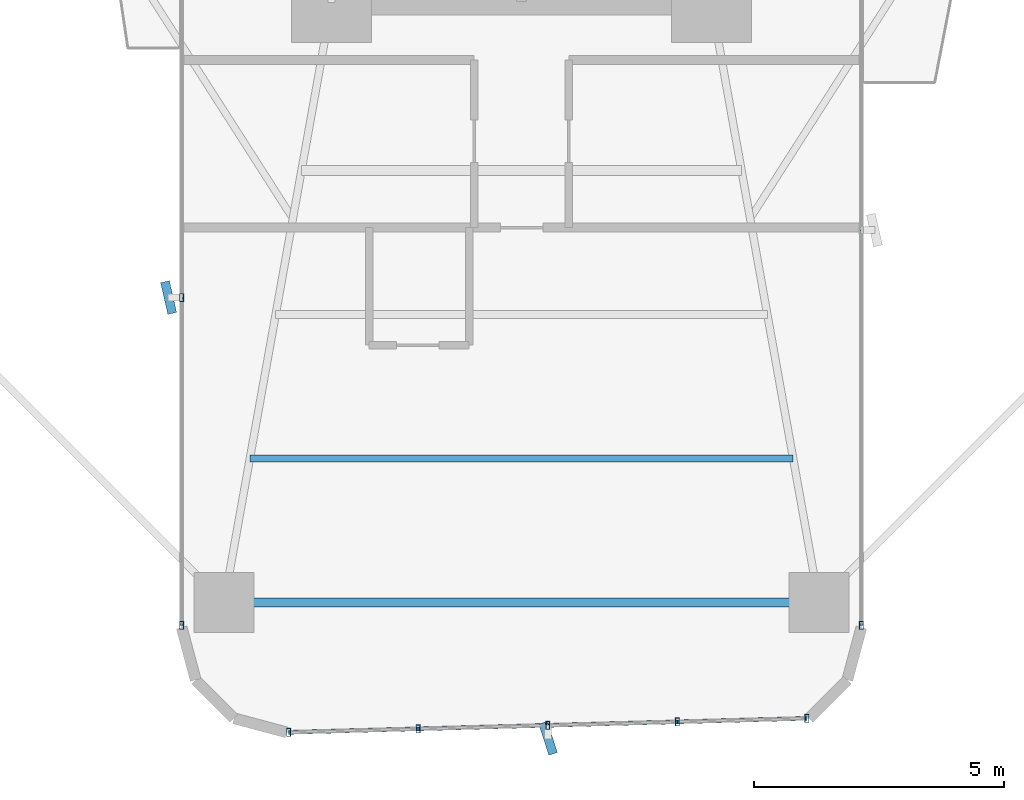
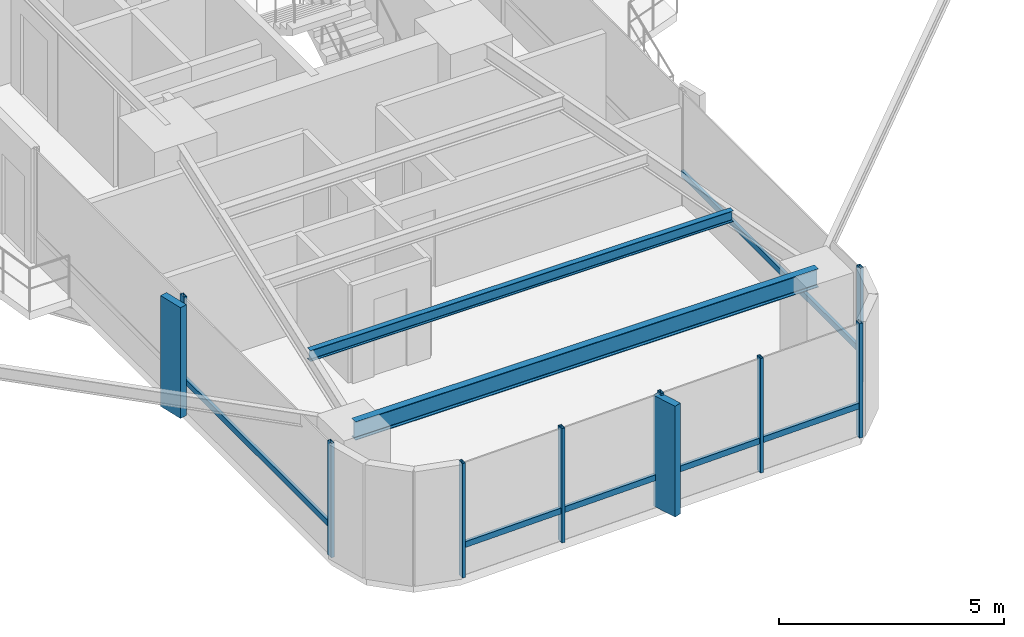
# One storey, part 2 of 26: 16 members, 2 beams, 3 elements without a shape of their own.
"""IFC4 building model written with IfcOpenShell, lengths in metres."""

from ifc_helpers import new_model, si_unit, direction, frame, origin, origin_2d, place, context, subcontext, project, spatial, rectangle, hollow_rectangle, i_section, extrude, source, transform, mapped, material, material_profile, profile_set, type_object, element, aggregate, save


model = new_model("IFC4")

# Units and contexts
model_context = context("Model", 3, precision=1e-05, world=origin(), true_north=direction((0.0, 1.0)))
body_context = subcontext(model_context, "Body", "Model", "MODEL_VIEW")
ifc_project = project(units=[si_unit("LENGTHUNIT", "METRE"), si_unit("AREAUNIT", "SQUARE_METRE"), si_unit("VOLUMEUNIT", "CUBIC_METRE"), si_unit("PLANEANGLEUNIT", "RADIAN"), si_unit("MASSUNIT", "GRAM", prefix="KILO")], contexts=[model_context])

# Site, building, storey
site_placement = place(None, origin())
site = spatial("IfcSite", under=ifc_project, at=site_placement, CompositionType="ELEMENT")
building_placement = place(site_placement, origin())
building = spatial("IfcBuilding", under=site, at=building_placement, Name="Sahyath Konkavel Grand Hotel", CompositionType="ELEMENT")
storey_placement = place(building_placement, frame((0.0, 0.0, 26.449951171875)))
storey = spatial("IfcBuildingStorey", under=building, at=storey_placement, Name="L06", CompositionType="ELEMENT", Elevation=26.449951171875)

# Beams
ifc_material_1 = material(Name="Steel E350", Category="steel")
ifc_material_profile_1 = material_profile(ifc_material_1, i_section(OverallWidth=0.179931640625, OverallDepth=0.5, WebThickness=0.01025390625, FlangeThickness=0.01708984375, FilletRadius=0.01708984375, at=origin_2d()), Name="ISMB 500")
ifc_profile_set_1 = profile_set([ifc_material_profile_1], Name="Steel E350")
beam_type_1 = type_object("IfcBeamType", Name="BM-ISMB500", PredefinedType="BEAM", material=ifc_profile_set_1)
shared_shape_1 = source(origin(), body_context, "Body", "SweptSolid", [
    extrude(i_section(OverallWidth=0.179931640625, OverallDepth=0.5, WebThickness=0.01025390625, FlangeThickness=0.01708984375, FilletRadius=0.01708984375, at=origin_2d()), origin(), (0.0, 0.0, 1.0), 11.89990234375),
])
beam_1_placement = place(storey_placement, frame((-5.949951171875, -22.199951171875, 2.860107421875), z_axis=(1.0, 0.0, 0.0), x_axis=(0.0, 1.0, 0.0)))
element("IfcBeam", 1, at=beam_1_placement, inside=storey, type_object=beam_type_1, Name="L06 Wing Tip Edge Beam S", PredefinedType="BEAM", context=body_context, shape_type="MappedRepresentation", body=[
    mapped(shared_shape_1, transform((0.0, 0.0, 0.0), scale=1.0)),
])
ifc_material_profile_2 = material_profile(ifc_material_1, i_section(OverallWidth=0.139892578125, OverallDepth=0.300048828125, WebThickness=0.0078125, FlangeThickness=0.01318359375, FilletRadius=0.013916015625, at=origin_2d()), Name="ISMB 300")
ifc_profile_set_2 = profile_set([ifc_material_profile_2], Name="Steel E350")
beam_type_2 = type_object("IfcBeamType", Name="BM-ISMB300", PredefinedType="BEAM", material=ifc_profile_set_2)
shared_shape_2 = source(origin(), body_context, "Body", "SweptSolid", [
    extrude(i_section(OverallWidth=0.139892578125, OverallDepth=0.300048828125, WebThickness=0.0078125, FlangeThickness=0.01318359375, FilletRadius=0.013916015625, at=origin_2d()), origin(), (0.0, 0.0, 1.0), 10.8681640625),
])
beam_2_placement = place(storey_placement, frame((-5.43408203125, -19.320068359375, 2.9599609375), z_axis=(1.0, 0.0, 0.0), x_axis=(0.0, 1.0, 0.0)))
element("IfcBeam", 2, at=beam_2_placement, inside=storey, type_object=beam_type_2, Name="L06 Secondary Floor Beam S-3", PredefinedType="BEAM", context=body_context, shape_type="MappedRepresentation", body=[
    mapped(shared_shape_2, transform((0.0, 0.0, 0.0), scale=1.0)),
])

# Curtain wall, member
ifc_material_2 = material(Name="Anodised Bronze Aluminium & Low-E Glazing", Category="aluminium")
curtain_wall_type = type_object("IfcCurtainWallType", Name="CW-ZONE1", PredefinedType="NOTDEFINED", material=ifc_material_2)
curtain_wall_1_placement = place(storey_placement, origin())
curtain_wall_1 = element("IfcCurtainWall", 3, at=curtain_wall_1_placement, inside=storey, type_object=curtain_wall_type, Name="L06 Unitised Curtain Wall F24", PredefinedType="NOTDEFINED")
ifc_material_3 = material(Name="Warm Buff Sandstone Cladding on Concrete C50/60", Category="masonry")
ifc_material_profile_3 = material_profile(ifc_material_3, rectangle(XDim=0.179931640625, YDim=0.64990234375, at=origin_2d()), Name="FIN 180x650")
ifc_profile_set_3 = profile_set([ifc_material_profile_3], Name="Warm Buff Sandstone Cladding on Concrete C50/60")
member_type_1 = type_object("IfcMemberType", Name="FIN-SANDSTONE-650", PredefinedType="MULLION", material=ifc_profile_set_3)
shared_shape_3 = source(origin(), body_context, "Body", "SweptSolid", [
    extrude(rectangle(XDim=0.179931640625, YDim=0.64990234375, at=origin_2d()), origin(), (0.0, 0.0, 1.0), 3.010009765625),
])
member_1_placement = place(storey_placement, frame((-7.06005859375, -16.10009765625, 0.050048828125), z_axis=(0.0, 0.0, 1.0), x_axis=(0.974644167091, 0.223760469153, 0.0)))
member_1 = element("IfcMember", 4, at=member_1_placement, type_object=member_type_1, Name="L06 Sandstone Vertical Solar Fin FIN F24-1", PredefinedType="MULLION", context=body_context, shape_type="MappedRepresentation", body=[
    mapped(shared_shape_3, transform((0.0, 0.0, 0.0), scale=1.0)),
])

curtain_wall_2_placement = place(storey_placement, origin())
curtain_wall_2 = element("IfcCurtainWall", 5, at=curtain_wall_2_placement, inside=storey, type_object=curtain_wall_type, Name="L06 Unitised Curtain Wall F28", PredefinedType="NOTDEFINED")
member_2_placement = place(storey_placement, frame((0.531982421875, -24.919189453125, 0.050048828125), z_axis=(0.0, 0.0, 1.0), x_axis=(0.951056516295, 0.309016994375, 0.0)))
member_2 = element("IfcMember", 6, at=member_2_placement, type_object=member_type_1, Name="L06 Sandstone Vertical Solar Fin FIN F28-2", PredefinedType="MULLION", context=body_context, shape_type="MappedRepresentation", body=[
    mapped(shared_shape_3, transform((0.0, 0.0, 0.0), scale=1.0)),
])

curtain_wall_3_placement = place(storey_placement, origin())
curtain_wall_3 = element("IfcCurtainWall", 7, at=curtain_wall_3_placement, inside=storey, type_object=curtain_wall_type, Name="L06 Unitised Curtain Wall F31", PredefinedType="NOTDEFINED")
ifc_material_4 = material(Name="Anodised Bronze Aluminium", Category="aluminium")
ifc_material_profile_4 = material_profile(ifc_material_4, hollow_rectangle(XDim=0.080078125, YDim=0.159912109375, WallThickness=0.006103515625, at=origin_2d()), Name="RHS 160x80x6")
ifc_profile_set_4 = profile_set([ifc_material_profile_4], Name="Anodised Bronze Aluminium")
member_type_2 = type_object("IfcMemberType", Name="CW-TRN-160", PredefinedType="USERDEFINED", material=ifc_profile_set_4)
shared_shape_4 = source(origin(), body_context, "Body", "SweptSolid", [
    extrude(hollow_rectangle(XDim=0.080078125, YDim=0.159912109375, WallThickness=0.006103515625, at=origin_2d()), origin(), (0.0, 0.0, 1.0), 7.909912109375),
])
member_3_placement = place(storey_placement, frame((6.800048828125, -22.659912109375, 0.85009765625), z_axis=(0.0, 1.0, 0.0), x_axis=(-1.0, 0.0, 0.0)))
member_3 = element("IfcMember", 8, at=member_3_placement, type_object=member_type_2, Name="L06 Curtain Wall Transom F31-0-spandrel", ObjectType="TRANSOM", PredefinedType="USERDEFINED", context=body_context, shape_type="MappedRepresentation", body=[
    mapped(shared_shape_4, transform((0.0, 0.0, 0.0), scale=1.0)),
])

# Member
shared_shape_5 = source(origin(), body_context, "Body", "SweptSolid", [
    extrude(hollow_rectangle(XDim=0.080078125, YDim=0.159912109375, WallThickness=0.006103515625, at=origin_2d()), origin(), (0.0, 0.0, 1.0), 2.593505859375),
])
member_4_placement = place(storey_placement, frame((-4.659912109375, -24.798828125, 0.85009765625), z_axis=(0.999637507825, 0.026923093252, 0.0), x_axis=(-0.026923093252, 0.999637507825, 0.0)))
member_4 = element("IfcMember", 9, at=member_4_placement, type_object=member_type_2, Name="L06 Curtain Wall Transom F28-0-spandrel", ObjectType="TRANSOM", PredefinedType="USERDEFINED", context=body_context, shape_type="MappedRepresentation", body=[
    mapped(shared_shape_5, transform((0.0, 0.0, 0.0), scale=1.0)),
])

member_5_placement = place(storey_placement, frame((0.52490234375, -24.6591796875, 0.85009765625), z_axis=(0.999640036937, 0.02682902444, 0.0), x_axis=(-0.02682902444, 0.999640036937, 0.0)))
member_5 = element("IfcMember", 10, at=member_5_placement, type_object=member_type_2, Name="L06 Curtain Wall Transom F28-2-spandrel", ObjectType="TRANSOM", PredefinedType="USERDEFINED", context=body_context, shape_type="MappedRepresentation", body=[
    mapped(shared_shape_5, transform((0.0, 0.0, 0.0), scale=1.0)),
])

member_6_placement = place(storey_placement, frame((3.117431640625, -24.589599609375, 0.85009765625), z_axis=(0.999637507825, 0.026923093252, 0.0), x_axis=(-0.026923093252, 0.999637507825, 0.0)))
member_6 = element("IfcMember", 11, at=member_6_placement, type_object=member_type_2, Name="L06 Curtain Wall Transom F28-3-spandrel", ObjectType="TRANSOM", PredefinedType="USERDEFINED", context=body_context, shape_type="MappedRepresentation", body=[
    mapped(shared_shape_5, transform((0.0, 0.0, 0.0), scale=1.0)),
])

shared_shape_6 = source(origin(), body_context, "Body", "SweptSolid", [
    extrude(hollow_rectangle(XDim=0.080078125, YDim=0.159912109375, WallThickness=0.006103515625, at=origin_2d()), origin(), (0.0, 0.0, 1.0), 2.59326171875),
])
member_7_placement = place(storey_placement, frame((-2.0673828125, -24.72900390625, 0.85009765625), z_axis=(0.99963743958, 0.026925627022, 0.0), x_axis=(-0.026925627022, 0.99963743958, 0.0)))
member_7 = element("IfcMember", 12, at=member_7_placement, type_object=member_type_2, Name="L06 Curtain Wall Transom F28-1-spandrel", ObjectType="TRANSOM", PredefinedType="USERDEFINED", context=body_context, shape_type="MappedRepresentation", body=[
    mapped(shared_shape_6, transform((0.0, 0.0, 0.0), scale=1.0)),
])

ifc_material_profile_5 = material_profile(ifc_material_4, hollow_rectangle(XDim=0.080078125, YDim=0.159912109375, WallThickness=0.006103515625, at=origin_2d()), Name="RHS 160x80x6")
ifc_profile_set_5 = profile_set([ifc_material_profile_5], Name="Anodised Bronze Aluminium")
member_type_3 = type_object("IfcMemberType", Name="CW-MUL-160", PredefinedType="MULLION", material=ifc_profile_set_5)
shared_shape_7 = source(origin(), body_context, "Body", "SweptSolid", [
    extrude(hollow_rectangle(XDim=0.080078125, YDim=0.159912109375, WallThickness=0.006103515625, at=origin_2d()), origin(), (0.0, 0.0, 1.0), 3.110107421875),
])
member_8_placement = place(storey_placement, frame((-6.800048828125, -16.10009765625, 0.0), z_axis=(0.0, 0.0, 1.0), x_axis=(1.0, 0.0, 0.0)))
member_8 = element("IfcMember", 13, at=member_8_placement, type_object=member_type_3, Name="L06 Curtain Wall Mullion F24-1", PredefinedType="MULLION", context=body_context, shape_type="MappedRepresentation", body=[
    mapped(shared_shape_7, transform((0.0, 0.0, 0.0), scale=1.0)),
])

member_9_placement = place(storey_placement, frame((-6.800048828125, -22.659912109375, 0.0), z_axis=(0.0, 0.0, 1.0), x_axis=(1.0, 0.0, 0.0)))
member_9 = element("IfcMember", 14, at=member_9_placement, type_object=member_type_3, Name="L06 Curtain Wall Mullion F24-2", PredefinedType="MULLION", context=body_context, shape_type="MappedRepresentation", body=[
    mapped(shared_shape_7, transform((0.0, 0.0, 0.0), scale=1.0)),
])

member_10_placement = place(storey_placement, frame((-4.659912109375, -24.798828125, 0.0), z_axis=(0.0, 0.0, 1.0), x_axis=(1.0, 0.0, 0.0)))
member_10 = element("IfcMember", 15, at=member_10_placement, type_object=member_type_3, Name="L06 Curtain Wall Mullion F28-0", PredefinedType="MULLION", context=body_context, shape_type="MappedRepresentation", body=[
    mapped(shared_shape_7, transform((0.0, 0.0, 0.0), scale=1.0)),
])

member_11_placement = place(storey_placement, frame((-2.0673828125, -24.72900390625, 0.0), z_axis=(0.0, 0.0, 1.0), x_axis=(1.0, 0.0, 0.0)))
member_11 = element("IfcMember", 16, at=member_11_placement, type_object=member_type_3, Name="L06 Curtain Wall Mullion F28-1", PredefinedType="MULLION", context=body_context, shape_type="MappedRepresentation", body=[
    mapped(shared_shape_7, transform((0.0, 0.0, 0.0), scale=1.0)),
])

member_12_placement = place(storey_placement, frame((0.52490234375, -24.6591796875, 0.0), z_axis=(0.0, 0.0, 1.0), x_axis=(1.0, 0.0, 0.0)))
member_12 = element("IfcMember", 17, at=member_12_placement, type_object=member_type_3, Name="L06 Curtain Wall Mullion F28-2", PredefinedType="MULLION", context=body_context, shape_type="MappedRepresentation", body=[
    mapped(shared_shape_7, transform((0.0, 0.0, 0.0), scale=1.0)),
])

member_13_placement = place(storey_placement, frame((3.117431640625, -24.589599609375, 0.0), z_axis=(0.0, 0.0, 1.0), x_axis=(1.0, 0.0, 0.0)))
member_13 = element("IfcMember", 18, at=member_13_placement, type_object=member_type_3, Name="L06 Curtain Wall Mullion F28-3", PredefinedType="MULLION", context=body_context, shape_type="MappedRepresentation", body=[
    mapped(shared_shape_7, transform((0.0, 0.0, 0.0), scale=1.0)),
])

member_14_placement = place(storey_placement, frame((5.7099609375, -24.519775390625, 0.0), z_axis=(0.0, 0.0, 1.0), x_axis=(1.0, 0.0, 0.0)))
member_14 = element("IfcMember", 19, at=member_14_placement, type_object=member_type_3, Name="L06 Curtain Wall Mullion F28-4", PredefinedType="MULLION", context=body_context, shape_type="MappedRepresentation", body=[
    mapped(shared_shape_7, transform((0.0, 0.0, 0.0), scale=1.0)),
])

aggregate(curtain_wall_2, [member_10, member_11, member_12, member_2, member_13, member_14, member_4, member_7, member_5, member_6])

member_15_placement = place(storey_placement, frame((6.800048828125, -22.659912109375, 0.0), z_axis=(0.0, 0.0, 1.0), x_axis=(1.0, 0.0, 0.0)))
member_15 = element("IfcMember", 20, at=member_15_placement, type_object=member_type_3, Name="L06 Curtain Wall Mullion F31-0", PredefinedType="MULLION", context=body_context, shape_type="MappedRepresentation", body=[
    mapped(shared_shape_7, transform((0.0, 0.0, 0.0), scale=1.0)),
])

aggregate(curtain_wall_3, [member_15, member_3])

shared_shape_8 = source(origin(), body_context, "Body", "SweptSolid", [
    extrude(hollow_rectangle(XDim=0.080078125, YDim=0.159912109375, WallThickness=0.006103515625, at=origin_2d()), origin(), (0.0, 0.0, 1.0), 6.559814453125),
])
member_16_placement = place(storey_placement, frame((-6.800048828125, -16.10009765625, 0.85009765625), z_axis=(0.0, -1.0, 0.0), x_axis=(1.0, 0.0, 0.0)))
member_16 = element("IfcMember", 21, at=member_16_placement, type_object=member_type_2, Name="L06 Curtain Wall Transom F24-1-spandrel", ObjectType="TRANSOM", PredefinedType="USERDEFINED", context=body_context, shape_type="MappedRepresentation", body=[
    mapped(shared_shape_8, transform((0.0, 0.0, 0.0), scale=1.0)),
])

aggregate(curtain_wall_1, [member_8, member_1, member_9, member_16])

save(model, "model.ifc")
